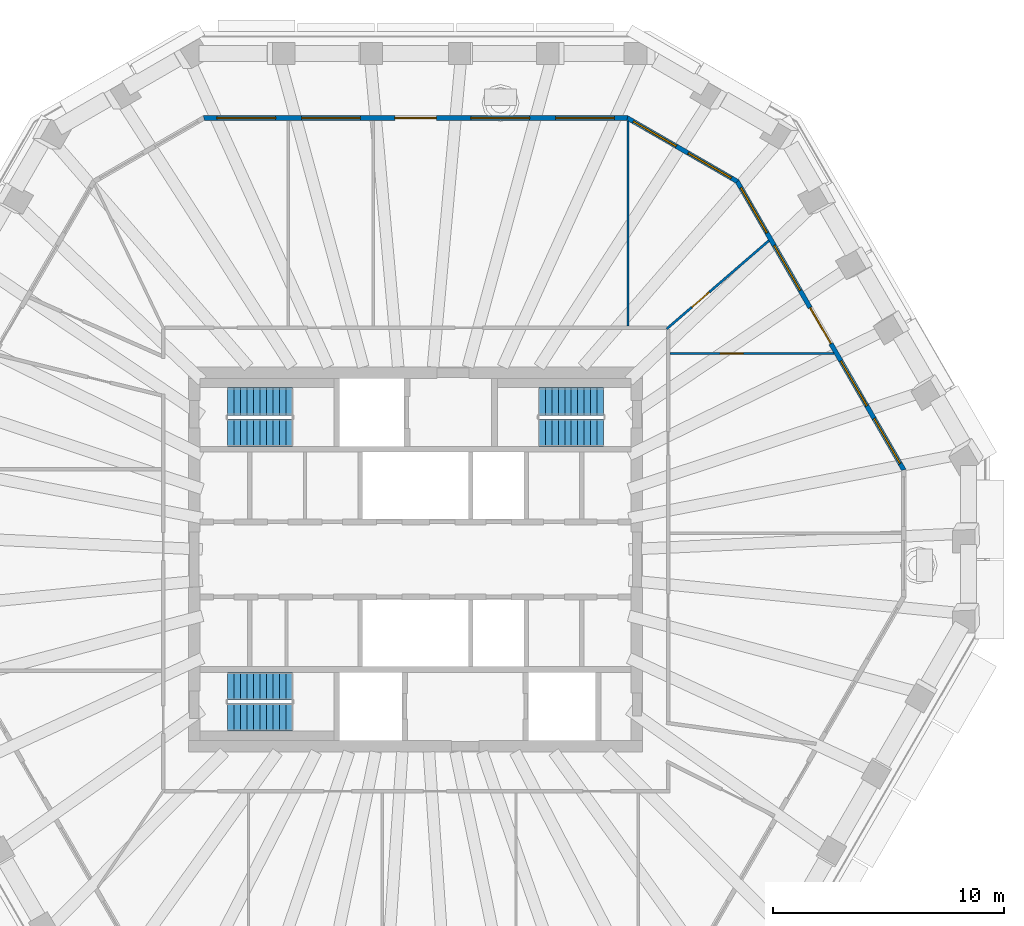
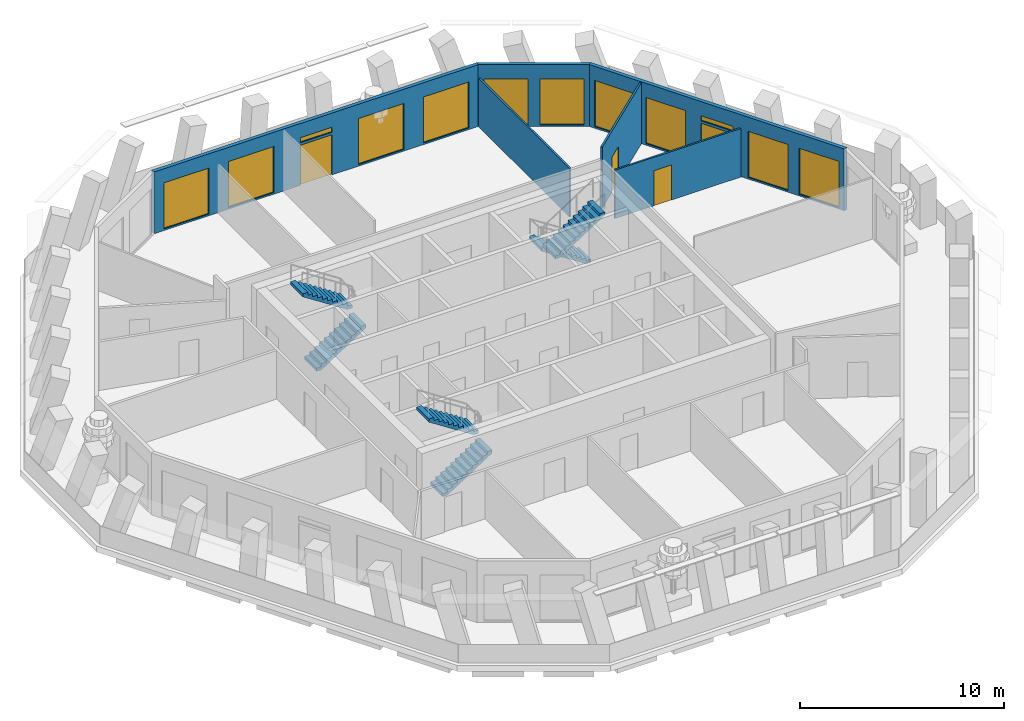
# One storey, part 7 of 11: 12 windows, 6 stair flights, 6 walls, 4 doors, 16 openings, 3 elements without a shape of their own.
"""IFC4 building model written with IfcOpenShell, lengths in metres."""

from ifc_helpers import new_model, si_unit, direction, frame, frame_2d, origin, place, context, subcontext, project, spatial, polyline, rectangle, outline, extrude, material, layer, layer_set, type_object, element, fill, aggregate, save


model = new_model("IFC4")

# Units and contexts
model_context = context("Model", 3, precision=1e-05, world=origin(), true_north=direction((0.0, 1.0)))
body_context = subcontext(model_context, "Body", "Model", "MODEL_VIEW")
ifc_project = project(units=[si_unit("LENGTHUNIT", "METRE"), si_unit("AREAUNIT", "SQUARE_METRE"), si_unit("VOLUMEUNIT", "CUBIC_METRE"), si_unit("PLANEANGLEUNIT", "RADIAN"), si_unit("MASSUNIT", "GRAM", prefix="KILO")], contexts=[model_context])

# Site, building, storey
site_placement = place(None, origin())
site = spatial("IfcSite", under=ifc_project, at=site_placement, CompositionType="ELEMENT")
building_placement = place(site_placement, origin())
building = spatial("IfcBuilding", under=site, at=building_placement, Name="Frailejon Research Tower", CompositionType="ELEMENT")
storey_placement = place(building_placement, frame((0.0, 0.0, 299.0)))
storey = spatial("IfcBuildingStorey", under=building, at=storey_placement, Name="L66", CompositionType="ELEMENT", Elevation=299.0)

# Wall, opening, door
ifc_material_1 = material(Name="Gypsum board and masonry partition", Category="masonry")
ifc_layer_1 = layer(ifc_material_1, 0.10009765625)
ifc_layer_set_1 = layer_set([ifc_layer_1], Name="Partition, gypsum on steel studs 100")
wall_type_1 = type_object("IfcWallType", Name="Partition, gypsum on steel studs 100", PredefinedType="PARTITIONING", material=ifc_layer_set_1)
wall_1_placement = place(storey_placement, frame((11.02490234375, 8.9345703125, 0.0), z_axis=(0.0, 0.0, 1.0), x_axis=(1.0, 0.0, 0.0)))
wall_1 = element("IfcWall", 1, at=wall_1_placement, inside=storey, type_object=wall_type_1, Name="T:IW:L66:013", PredefinedType="PARTITIONING", context=body_context, shape_type="SweptSolid", body=[
    extrude(rectangle(XDim=7.1201171875, YDim=0.10009765625, at=frame_2d((3.56005859375, 0.0))), origin(), (0.0, 0.0, 1.0), 2.89990234375),
])
opening_1_placement = place(wall_1_placement, frame((2.1982421875, 0.0, 0.0)))
opening_1 = element("IfcOpeningElement", 2, at=opening_1_placement, cuts=wall_1, Name="Opening D2266", PredefinedType="OPENING", context=body_context, shape_type="SweptSolid", body=[
    extrude(rectangle(XDim=1.0, YDim=2.10009765625, at=frame_2d((0.5, 1.050048828125))), frame((0.0, 0.06005859375, 0.0), z_axis=(0.0, -1.0, 0.0), x_axis=(1.0, 0.0, 0.0)), (0.0, 0.0, 1.0), 0.1201171875),
])
ifc_material_2 = material(Name="Timber door leaf", Category="wood")
door_type_1 = type_object("IfcDoorType", Name="Door single leaf, timber, steel frame 1000", OperationType="NOTDEFINED", PredefinedType="DOOR", material=ifc_material_2)
door_1_placement = place(opening_1_placement, origin())
door_1 = element("IfcDoor", 3, at=door_1_placement, inside=storey, type_object=door_type_1, Name="D2266", OperationType="SINGLE_SWING_LEFT", OverallHeight=2.10009765625, OverallWidth=1.0, PredefinedType="DOOR", context=body_context, shape_type="SweptSolid", body=[
    extrude(rectangle(XDim=1.0, YDim=2.10009765625, at=frame_2d((0.5, 1.050048828125))), frame((0.0, 0.02490234375, 0.0), z_axis=(0.0, -1.0, 0.0), x_axis=(1.0, 0.0, 0.0)), (0.0, 0.0, 1.0), 0.050048828125),
])
fill(opening_1, door_1)

wall_2_placement = place(storey_placement, frame((10.893310546875, 10.0009765625, 0.0), z_axis=(0.0, 0.0, 1.0), x_axis=(0.756700088013, 0.653762171436, 0.0)))
wall_2 = element("IfcWall", 4, at=wall_2_placement, inside=storey, type_object=wall_type_1, Name="T:IW:L66:015", PredefinedType="PARTITIONING", context=body_context, shape_type="SweptSolid", body=[
    extrude(rectangle(XDim=5.85107421875, YDim=0.10009765625, at=frame_2d((2.925537109375, 0.0))), origin(), (0.0, 0.0, 1.0), 3.64990234375),
])
opening_2_placement = place(wall_2_placement, frame((1.444091796875, 0.0, 0.0)))
opening_2 = element("IfcOpeningElement", 5, at=opening_2_placement, cuts=wall_2, Name="Opening D2267", PredefinedType="OPENING", context=body_context, shape_type="SweptSolid", body=[
    extrude(rectangle(XDim=1.0, YDim=2.10009765625, at=frame_2d((0.5, 1.050048828125))), frame((0.0, 0.06005859375, 0.0), z_axis=(0.0, -1.0, 0.0), x_axis=(1.0, 0.0, 0.0)), (0.0, 0.0, 1.0), 0.1201171875),
])
door_2_placement = place(opening_2_placement, origin())
door_2 = element("IfcDoor", 6, at=door_2_placement, inside=storey, type_object=door_type_1, Name="D2267", OperationType="SINGLE_SWING_RIGHT", OverallHeight=2.10009765625, OverallWidth=1.0, PredefinedType="DOOR", context=body_context, shape_type="SweptSolid", body=[
    extrude(rectangle(XDim=1.0, YDim=2.10009765625, at=frame_2d((0.5, 1.050048828125))), frame((0.0, 0.02490234375, 0.0), z_axis=(0.0, -1.0, 0.0), x_axis=(1.0, 0.0, 0.0)), (0.0, 0.0, 1.0), 0.050048828125),
])
fill(opening_2, door_2)

# Wall
wall_3_placement = place(storey_placement, frame((9.2119140625, 10.125, 0.0), z_axis=(0.0, 0.0, 1.0), x_axis=(0.0, 1.0, 0.0)))
element("IfcWall", 7, at=wall_3_placement, inside=storey, type_object=wall_type_1, Name="T:IW:L66:016", PredefinedType="PARTITIONING", context=body_context, shape_type="SweptSolid", body=[
    extrude(rectangle(XDim=8.89404296875, YDim=0.10009765625, at=frame_2d((4.447021484375, 0.0))), origin(), (0.0, 0.0, 1.0), 2.89990234375),
])

# Wall, openings, door, windows
ifc_material_3 = material(Name="Concrete C40/50 precast window wall panel", Category="concrete")
ifc_layer_2 = layer(ifc_material_3, 0.199951171875)
ifc_layer_set_2 = layer_set([ifc_layer_2], Name="Window wall 200")
wall_type_2 = type_object("IfcWallType", Name="Window wall 200", PredefinedType="SOLIDWALL", material=ifc_layer_set_2)
wall_4_placement = place(storey_placement, frame((21.177001953125, 3.883056640625, 0.0), z_axis=(0.0, 0.0, 1.0), x_axis=(-0.499998359168, 0.866026351117, 0.0)))
wall_4 = element("IfcWall", 8, at=wall_4_placement, inside=storey, type_object=wall_type_2, Name="Exterior wall L66", PredefinedType="SOLIDWALL", context=body_context, shape_type="SweptSolid", body=[
    extrude(outline(polyline([(-0.02685546875, -0.10009765625), (1.00927734375, -0.10009765625), (2.045166015625, -0.10009765625), (3.081298828125, -0.10009765625), (4.117431640625, -0.10009765625), (5.153564453125, -0.10009765625), (6.189453125, -0.10009765625), (7.2255859375, -0.10009765625), (8.26171875, -0.10009765625), (9.297607421875, -0.10009765625), (10.333740234375, -0.10009765625), (11.369873046875, -0.10009765625), (12.406005859375, -0.10009765625), (13.44189453125, -0.10009765625), (14.47802734375, -0.10009765625), (14.42431640625, 0.10009765625), (13.39599609375, 0.10009765625), (12.367431640625, 0.10009765625), (11.339111328125, 0.10009765625), (10.310791015625, 0.10009765625), (9.282470703125, 0.10009765625), (8.25390625, 0.10009765625), (7.2255859375, 0.10009765625), (6.197265625, 0.10009765625), (5.168701171875, 0.10009765625), (4.140380859375, 0.10009765625), (3.112060546875, 0.10009765625), (2.083740234375, 0.10009765625), (1.05517578125, 0.10009765625), (0.02685546875, 0.10009765625), (-0.02685546875, -0.10009765625)])), origin(), (0.0, 0.0, 1.0), 3.699951171875),
])
opening_3_placement = place(wall_4_placement, frame((0.320068359375, 0.0, 0.10009765625)))
opening_3 = element("IfcOpeningElement", 9, at=opening_3_placement, cuts=wall_4, Name="Opening W23", PredefinedType="OPENING", context=body_context, shape_type="SweptSolid", body=[
    extrude(rectangle(XDim=2.25, YDim=2.75, at=frame_2d((1.125, 1.375))), frame((0.0, 0.10986328125, 0.0), z_axis=(0.0, -1.0, 0.0), x_axis=(1.0, 0.0, 0.0)), (0.0, 0.0, 1.0), 0.219970703125),
])
opening_4_placement = place(wall_4_placement, frame((3.21044921875, 0.0, 0.10009765625)))
opening_4 = element("IfcOpeningElement", 10, at=opening_4_placement, cuts=wall_4, Name="Opening W23", PredefinedType="OPENING", context=body_context, shape_type="SweptSolid", body=[
    extrude(rectangle(XDim=2.25, YDim=2.75, at=frame_2d((1.125, 1.375))), frame((0.0, 0.10986328125, 0.0), z_axis=(0.0, -1.0, 0.0), x_axis=(1.0, 0.0, 0.0)), (0.0, 0.0, 1.0), 0.219970703125),
])
opening_5_placement = place(wall_4_placement, frame((6.32568359375, 0.0, 0.0)))
opening_5 = element("IfcOpeningElement", 11, at=opening_5_placement, cuts=wall_4, Name="Opening LG66-1", PredefinedType="OPENING", context=body_context, shape_type="SweptSolid", body=[
    extrude(rectangle(XDim=1.800048828125, YDim=2.39990234375, at=frame_2d((0.89990234375, 1.199951171875))), frame((0.0, 0.10986328125, 0.0), z_axis=(0.0, -1.0, 0.0), x_axis=(1.0, 0.0, 0.0)), (0.0, 0.0, 1.0), 0.219970703125),
])
opening_6_placement = place(wall_4_placement, frame((6.32568359375, 0.0, 2.550048828125)))
opening_6 = element("IfcOpeningElement", 12, at=opening_6_placement, cuts=wall_4, Name="Opening W24", PredefinedType="OPENING", context=body_context, shape_type="SweptSolid", body=[
    extrude(rectangle(XDim=1.800048828125, YDim=0.300048828125, at=frame_2d((0.89990234375, 0.14990234375))), frame((0.0, 0.10986328125, 0.0), z_axis=(0.0, -1.0, 0.0), x_axis=(1.0, 0.0, 0.0)), (0.0, 0.0, 1.0), 0.219970703125),
])
opening_7_placement = place(wall_4_placement, frame((8.990966796875, 0.0, 0.10009765625)))
opening_7 = element("IfcOpeningElement", 13, at=opening_7_placement, cuts=wall_4, Name="Opening W23", PredefinedType="OPENING", context=body_context, shape_type="SweptSolid", body=[
    extrude(rectangle(XDim=2.25, YDim=2.75, at=frame_2d((1.125, 1.375))), frame((0.0, 0.10986328125, 0.0), z_axis=(0.0, -1.0, 0.0), x_axis=(1.0, 0.0, 0.0)), (0.0, 0.0, 1.0), 0.219970703125),
])
opening_8_placement = place(wall_4_placement, frame((11.881103515625, 0.0, 0.10009765625)))
opening_8 = element("IfcOpeningElement", 14, at=opening_8_placement, cuts=wall_4, Name="Opening W23", PredefinedType="OPENING", context=body_context, shape_type="SweptSolid", body=[
    extrude(rectangle(XDim=2.25, YDim=2.75, at=frame_2d((1.125, 1.375))), frame((0.0, 0.10986328125, 0.0), z_axis=(0.0, -1.0, 0.0), x_axis=(1.0, 0.0, 0.0)), (0.0, 0.0, 1.0), 0.219970703125),
])
ifc_material_4 = material(Name="Aluminium framed glazed door leaf", Category="aluminium")
door_type_2 = type_object("IfcDoorType", Name="Loggia door 1800x2400", OperationType="DOUBLE_DOOR_SINGLE_SWING", PredefinedType="DOOR", material=ifc_material_4)
door_3_placement = place(opening_5_placement, origin())
door_3 = element("IfcDoor", 15, at=door_3_placement, inside=storey, type_object=door_type_2, Name="Door LG66-1", OperationType="DOUBLE_DOOR_SINGLE_SWING", OverallHeight=2.39990234375, OverallWidth=1.800048828125, PredefinedType="DOOR", context=body_context, shape_type="SweptSolid", body=[
    extrude(rectangle(XDim=1.800048828125, YDim=2.39990234375, at=frame_2d((0.89990234375, 1.199951171875))), frame((0.0, 0.02490234375, 0.0), z_axis=(0.0, -1.0, 0.0), x_axis=(1.0, 0.0, 0.0)), (0.0, 0.0, 1.0), 0.050048828125),
])
fill(opening_5, door_3)
ifc_material_5 = material(Name="Aluminium framed double glazing", Category="aluminium")
window_type_1 = type_object("IfcWindowType", Name="Window 1800x300", PartitioningType="SINGLE_PANEL", PredefinedType="WINDOW", material=ifc_material_5)
window_1_placement = place(opening_6_placement, origin())
window_1 = element("IfcWindow", 16, at=window_1_placement, inside=storey, type_object=window_type_1, Name="Window L66", OverallHeight=0.300048828125, OverallWidth=1.800048828125, PartitioningType="SINGLE_PANEL", PredefinedType="WINDOW", context=body_context, shape_type="SweptSolid", body=[
    extrude(rectangle(XDim=1.800048828125, YDim=0.300048828125, at=frame_2d((0.89990234375, 0.14990234375))), frame((0.0, 0.030029296875, 0.0), z_axis=(0.0, -1.0, 0.0), x_axis=(1.0, 0.0, 0.0)), (0.0, 0.0, 1.0), 0.06005859375),
])
fill(opening_6, window_1)
ifc_material_6 = material(Name="Aluminium framed double glazing", Category="aluminium")
window_type_2 = type_object("IfcWindowType", Name="Window 2250x2750", PartitioningType="SINGLE_PANEL", PredefinedType="WINDOW", material=ifc_material_6)
window_2_placement = place(opening_3_placement, origin())
window_2 = element("IfcWindow", 17, at=window_2_placement, inside=storey, type_object=window_type_2, Name="Window L66", OverallHeight=2.75, OverallWidth=2.25, PartitioningType="SINGLE_PANEL", PredefinedType="WINDOW", context=body_context, shape_type="SweptSolid", body=[
    extrude(rectangle(XDim=2.25, YDim=2.75, at=frame_2d((1.125, 1.375))), frame((0.0, 0.030029296875, 0.0), z_axis=(0.0, -1.0, 0.0), x_axis=(1.0, 0.0, 0.0)), (0.0, 0.0, 1.0), 0.06005859375),
])
fill(opening_3, window_2)
window_3_placement = place(opening_4_placement, origin())
window_3 = element("IfcWindow", 18, at=window_3_placement, inside=storey, type_object=window_type_2, Name="Window L66", OverallHeight=2.75, OverallWidth=2.25, PartitioningType="SINGLE_PANEL", PredefinedType="WINDOW", context=body_context, shape_type="SweptSolid", body=[
    extrude(rectangle(XDim=2.25, YDim=2.75, at=frame_2d((1.125, 1.375))), frame((0.0, 0.030029296875, 0.0), z_axis=(0.0, -1.0, 0.0), x_axis=(1.0, 0.0, 0.0)), (0.0, 0.0, 1.0), 0.06005859375),
])
fill(opening_4, window_3)
window_4_placement = place(opening_7_placement, origin())
window_4 = element("IfcWindow", 19, at=window_4_placement, inside=storey, type_object=window_type_2, Name="Window L66", OverallHeight=2.75, OverallWidth=2.25, PartitioningType="SINGLE_PANEL", PredefinedType="WINDOW", context=body_context, shape_type="SweptSolid", body=[
    extrude(rectangle(XDim=2.25, YDim=2.75, at=frame_2d((1.125, 1.375))), frame((0.0, 0.030029296875, 0.0), z_axis=(0.0, -1.0, 0.0), x_axis=(1.0, 0.0, 0.0)), (0.0, 0.0, 1.0), 0.06005859375),
])
fill(opening_7, window_4)
window_5_placement = place(opening_8_placement, origin())
window_5 = element("IfcWindow", 20, at=window_5_placement, inside=storey, type_object=window_type_2, Name="Window L66", OverallHeight=2.75, OverallWidth=2.25, PartitioningType="SINGLE_PANEL", PredefinedType="WINDOW", context=body_context, shape_type="SweptSolid", body=[
    extrude(rectangle(XDim=2.25, YDim=2.75, at=frame_2d((1.125, 1.375))), frame((0.0, 0.030029296875, 0.0), z_axis=(0.0, -1.0, 0.0), x_axis=(1.0, 0.0, 0.0)), (0.0, 0.0, 1.0), 0.06005859375),
])
fill(opening_8, window_5)

# Wall, openings, windows
wall_5_placement = place(storey_placement, frame((13.951416015625, 16.398193359375, 0.0), z_axis=(0.0, 0.0, 1.0), x_axis=(-0.866026017613, 0.499998936816, 0.0)))
wall_5 = element("IfcWall", 21, at=wall_5_placement, inside=storey, type_object=wall_type_2, Name="Exterior wall L66", PredefinedType="SOLIDWALL", context=body_context, shape_type="SweptSolid", body=[
    extrude(outline(polyline([(-0.02685546875, -0.10009765625), (1.08447265625, -0.10009765625), (2.196044921875, -0.10009765625), (3.307373046875, -0.10009765625), (4.4189453125, -0.10009765625), (5.5302734375, -0.10009765625), (5.4765625, 0.10009765625), (4.38671875, 0.10009765625), (3.296630859375, 0.10009765625), (2.206787109375, 0.10009765625), (1.11669921875, 0.10009765625), (0.02685546875, 0.10009765625), (-0.02685546875, -0.10009765625)])), origin(), (0.0, 0.0, 1.0), 3.699951171875),
])
opening_9_placement = place(wall_5_placement, frame((0.30078125, 0.0, 0.10009765625)))
opening_9 = element("IfcOpeningElement", 22, at=opening_9_placement, cuts=wall_5, Name="Opening W22", PredefinedType="OPENING", context=body_context, shape_type="SweptSolid", body=[
    extrude(rectangle(XDim=2.14990234375, YDim=2.75, at=frame_2d((1.074951171875, 1.375))), frame((0.0, 0.10986328125, 0.0), z_axis=(0.0, -1.0, 0.0), x_axis=(1.0, 0.0, 0.0)), (0.0, 0.0, 1.0), 0.219970703125),
])
opening_10_placement = place(wall_5_placement, frame((3.052490234375, 0.0, 0.10009765625)))
opening_10 = element("IfcOpeningElement", 23, at=opening_10_placement, cuts=wall_5, Name="Opening W22", PredefinedType="OPENING", context=body_context, shape_type="SweptSolid", body=[
    extrude(rectangle(XDim=2.14990234375, YDim=2.75, at=frame_2d((1.074951171875, 1.375))), frame((0.0, 0.10986328125, 0.0), z_axis=(0.0, -1.0, 0.0), x_axis=(1.0, 0.0, 0.0)), (0.0, 0.0, 1.0), 0.219970703125),
])
ifc_material_7 = material(Name="Aluminium framed double glazing", Category="aluminium")
window_type_3 = type_object("IfcWindowType", Name="Window 2150x2750", PartitioningType="SINGLE_PANEL", PredefinedType="WINDOW", material=ifc_material_7)
window_6_placement = place(opening_9_placement, origin())
window_6 = element("IfcWindow", 24, at=window_6_placement, inside=storey, type_object=window_type_3, Name="Window L66", OverallHeight=2.75, OverallWidth=2.14990234375, PartitioningType="SINGLE_PANEL", PredefinedType="WINDOW", context=body_context, shape_type="SweptSolid", body=[
    extrude(rectangle(XDim=2.14990234375, YDim=2.75, at=frame_2d((1.074951171875, 1.375))), frame((0.0, 0.030029296875, 0.0), z_axis=(0.0, -1.0, 0.0), x_axis=(1.0, 0.0, 0.0)), (0.0, 0.0, 1.0), 0.06005859375),
])
fill(opening_9, window_6)
window_7_placement = place(opening_10_placement, origin())
window_7 = element("IfcWindow", 25, at=window_7_placement, inside=storey, type_object=window_type_3, Name="Window L66", OverallHeight=2.75, OverallWidth=2.14990234375, PartitioningType="SINGLE_PANEL", PredefinedType="WINDOW", context=body_context, shape_type="SweptSolid", body=[
    extrude(rectangle(XDim=2.14990234375, YDim=2.75, at=frame_2d((1.074951171875, 1.375))), frame((0.0, 0.030029296875, 0.0), z_axis=(0.0, -1.0, 0.0), x_axis=(1.0, 0.0, 0.0)), (0.0, 0.0, 1.0), 0.06005859375),
])
fill(opening_10, window_7)

# Wall, openings, door, windows
wall_6_placement = place(storey_placement, frame((9.185302734375, 19.14990234375, 0.0), z_axis=(0.0, 0.0, 1.0), x_axis=(-1.0, 0.0, 0.0)))
wall_6 = element("IfcWall", 26, at=wall_6_placement, inside=storey, type_object=wall_type_2, Name="Exterior wall L66", PredefinedType="SOLIDWALL", context=body_context, shape_type="SweptSolid", body=[
    extrude(outline(polyline([(-0.02685546875, -0.10009765625), (0.996826171875, -0.10009765625), (2.020263671875, -0.10009765625), (3.0439453125, -0.10009765625), (4.0673828125, -0.10009765625), (5.091064453125, -0.10009765625), (6.114501953125, -0.10009765625), (7.13818359375, -0.10009765625), (8.16162109375, -0.10009765625), (9.185302734375, -0.10009765625), (10.208984375, -0.10009765625), (11.232421875, -0.10009765625), (12.256103515625, -0.10009765625), (13.279541015625, -0.10009765625), (14.30322265625, -0.10009765625), (15.32666015625, -0.10009765625), (16.350341796875, -0.10009765625), (17.373779296875, -0.10009765625), (18.3974609375, -0.10009765625), (18.34375, 0.10009765625), (17.326171875, 0.10009765625), (16.30859375, 0.10009765625), (15.291015625, 0.10009765625), (14.2734375, 0.10009765625), (13.255615234375, 0.10009765625), (12.238037109375, 0.10009765625), (11.220458984375, 0.10009765625), (10.202880859375, 0.10009765625), (9.185302734375, 0.10009765625), (8.167724609375, 0.10009765625), (7.150146484375, 0.10009765625), (6.132568359375, 0.10009765625), (5.114990234375, 0.10009765625), (4.09716796875, 0.10009765625), (3.07958984375, 0.10009765625), (2.06201171875, 0.10009765625), (1.04443359375, 0.10009765625), (0.02685546875, 0.10009765625), (-0.02685546875, -0.10009765625)])), origin(), (0.0, 0.0, 1.0), 3.699951171875),
])
opening_11_placement = place(wall_6_placement, frame((0.56201171875, 0.0, 0.10009765625)))
opening_11 = element("IfcOpeningElement", 27, at=opening_11_placement, cuts=wall_6, Name="Opening W25", PredefinedType="OPENING", context=body_context, shape_type="SweptSolid", body=[
    extrude(rectangle(XDim=2.550048828125, YDim=2.75, at=frame_2d((1.27490234375, 1.375))), frame((0.0, 0.10986328125, 0.0), z_axis=(0.0, -1.0, 0.0), x_axis=(1.0, 0.0, 0.0)), (0.0, 0.0, 1.0), 0.219970703125),
])
opening_12_placement = place(wall_6_placement, frame((4.236083984375, 0.0, 0.10009765625)))
opening_12 = element("IfcOpeningElement", 28, at=opening_12_placement, cuts=wall_6, Name="Opening W25", PredefinedType="OPENING", context=body_context, shape_type="SweptSolid", body=[
    extrude(rectangle(XDim=2.550048828125, YDim=2.75, at=frame_2d((1.27490234375, 1.375))), frame((0.0, 0.10986328125, 0.0), z_axis=(0.0, -1.0, 0.0), x_axis=(1.0, 0.0, 0.0)), (0.0, 0.0, 1.0), 0.219970703125),
])
opening_13_placement = place(wall_6_placement, frame((8.28515625, 0.0, 0.0)))
opening_13 = element("IfcOpeningElement", 29, at=opening_13_placement, cuts=wall_6, Name="Opening LG66-2", PredefinedType="OPENING", context=body_context, shape_type="SweptSolid", body=[
    extrude(rectangle(XDim=1.800048828125, YDim=2.39990234375, at=frame_2d((0.89990234375, 1.199951171875))), frame((0.0, 0.10986328125, 0.0), z_axis=(0.0, -1.0, 0.0), x_axis=(1.0, 0.0, 0.0)), (0.0, 0.0, 1.0), 0.219970703125),
])
opening_14_placement = place(wall_6_placement, frame((8.28515625, 0.0, 2.550048828125)))
opening_14 = element("IfcOpeningElement", 30, at=opening_14_placement, cuts=wall_6, Name="Opening W24", PredefinedType="OPENING", context=body_context, shape_type="SweptSolid", body=[
    extrude(rectangle(XDim=1.800048828125, YDim=0.300048828125, at=frame_2d((0.89990234375, 0.14990234375))), frame((0.0, 0.10986328125, 0.0), z_axis=(0.0, -1.0, 0.0), x_axis=(1.0, 0.0, 0.0)), (0.0, 0.0, 1.0), 0.219970703125),
])
opening_15_placement = place(wall_6_placement, frame((11.584228515625, 0.0, 0.10009765625)))
opening_15 = element("IfcOpeningElement", 31, at=opening_15_placement, cuts=wall_6, Name="Opening W25", PredefinedType="OPENING", context=body_context, shape_type="SweptSolid", body=[
    extrude(rectangle(XDim=2.550048828125, YDim=2.75, at=frame_2d((1.27490234375, 1.375))), frame((0.0, 0.10986328125, 0.0), z_axis=(0.0, -1.0, 0.0), x_axis=(1.0, 0.0, 0.0)), (0.0, 0.0, 1.0), 0.219970703125),
])
opening_16_placement = place(wall_6_placement, frame((15.25830078125, 0.0, 0.10009765625)))
opening_16 = element("IfcOpeningElement", 32, at=opening_16_placement, cuts=wall_6, Name="Opening W25", PredefinedType="OPENING", context=body_context, shape_type="SweptSolid", body=[
    extrude(rectangle(XDim=2.550048828125, YDim=2.75, at=frame_2d((1.27490234375, 1.375))), frame((0.0, 0.10986328125, 0.0), z_axis=(0.0, -1.0, 0.0), x_axis=(1.0, 0.0, 0.0)), (0.0, 0.0, 1.0), 0.219970703125),
])
door_4_placement = place(opening_13_placement, origin())
door_4 = element("IfcDoor", 33, at=door_4_placement, inside=storey, type_object=door_type_2, Name="Door LG66-2", OperationType="DOUBLE_DOOR_SINGLE_SWING", OverallHeight=2.39990234375, OverallWidth=1.800048828125, PredefinedType="DOOR", context=body_context, shape_type="SweptSolid", body=[
    extrude(rectangle(XDim=1.800048828125, YDim=2.39990234375, at=frame_2d((0.89990234375, 1.199951171875))), frame((0.0, 0.02490234375, 0.0), z_axis=(0.0, -1.0, 0.0), x_axis=(1.0, 0.0, 0.0)), (0.0, 0.0, 1.0), 0.050048828125),
])
fill(opening_13, door_4)
window_8_placement = place(opening_14_placement, origin())
window_8 = element("IfcWindow", 34, at=window_8_placement, inside=storey, type_object=window_type_1, Name="Window L66", OverallHeight=0.300048828125, OverallWidth=1.800048828125, PartitioningType="SINGLE_PANEL", PredefinedType="WINDOW", context=body_context, shape_type="SweptSolid", body=[
    extrude(rectangle(XDim=1.800048828125, YDim=0.300048828125, at=frame_2d((0.89990234375, 0.14990234375))), frame((0.0, 0.030029296875, 0.0), z_axis=(0.0, -1.0, 0.0), x_axis=(1.0, 0.0, 0.0)), (0.0, 0.0, 1.0), 0.06005859375),
])
fill(opening_14, window_8)
ifc_material_8 = material(Name="Aluminium framed double glazing", Category="aluminium")
window_type_4 = type_object("IfcWindowType", Name="Window 2550x2750", PartitioningType="SINGLE_PANEL", PredefinedType="WINDOW", material=ifc_material_8)
window_9_placement = place(opening_11_placement, origin())
window_9 = element("IfcWindow", 35, at=window_9_placement, inside=storey, type_object=window_type_4, Name="Window L66", OverallHeight=2.75, OverallWidth=2.550048828125, PartitioningType="SINGLE_PANEL", PredefinedType="WINDOW", context=body_context, shape_type="SweptSolid", body=[
    extrude(rectangle(XDim=2.550048828125, YDim=2.75, at=frame_2d((1.27490234375, 1.375))), frame((0.0, 0.030029296875, 0.0), z_axis=(0.0, -1.0, 0.0), x_axis=(1.0, 0.0, 0.0)), (0.0, 0.0, 1.0), 0.06005859375),
])
fill(opening_11, window_9)
window_10_placement = place(opening_12_placement, origin())
window_10 = element("IfcWindow", 36, at=window_10_placement, inside=storey, type_object=window_type_4, Name="Window L66", OverallHeight=2.75, OverallWidth=2.550048828125, PartitioningType="SINGLE_PANEL", PredefinedType="WINDOW", context=body_context, shape_type="SweptSolid", body=[
    extrude(rectangle(XDim=2.550048828125, YDim=2.75, at=frame_2d((1.27490234375, 1.375))), frame((0.0, 0.030029296875, 0.0), z_axis=(0.0, -1.0, 0.0), x_axis=(1.0, 0.0, 0.0)), (0.0, 0.0, 1.0), 0.06005859375),
])
fill(opening_12, window_10)
window_11_placement = place(opening_15_placement, origin())
window_11 = element("IfcWindow", 37, at=window_11_placement, inside=storey, type_object=window_type_4, Name="Window L66", OverallHeight=2.75, OverallWidth=2.550048828125, PartitioningType="SINGLE_PANEL", PredefinedType="WINDOW", context=body_context, shape_type="SweptSolid", body=[
    extrude(rectangle(XDim=2.550048828125, YDim=2.75, at=frame_2d((1.27490234375, 1.375))), frame((0.0, 0.030029296875, 0.0), z_axis=(0.0, -1.0, 0.0), x_axis=(1.0, 0.0, 0.0)), (0.0, 0.0, 1.0), 0.06005859375),
])
fill(opening_15, window_11)
window_12_placement = place(opening_16_placement, origin())
window_12 = element("IfcWindow", 38, at=window_12_placement, inside=storey, type_object=window_type_4, Name="Window L66", OverallHeight=2.75, OverallWidth=2.550048828125, PartitioningType="SINGLE_PANEL", PredefinedType="WINDOW", context=body_context, shape_type="SweptSolid", body=[
    extrude(rectangle(XDim=2.550048828125, YDim=2.75, at=frame_2d((1.27490234375, 1.375))), frame((0.0, 0.030029296875, 0.0), z_axis=(0.0, -1.0, 0.0), x_axis=(1.0, 0.0, 0.0)), (0.0, 0.0, 1.0), 0.06005859375),
])
fill(opening_16, window_12)

# Stair, stair flights
ifc_material_9 = material(Name="Concrete C50/60", Category="concrete")
stair_type = type_object("IfcStairType", Name="Exit stair 22 risers", PredefinedType="HALF_TURN_STAIR", material=ifc_material_9)
stair_1_placement = place(storey_placement, origin())
stair_1 = element("IfcStair", 39, at=stair_1_placement, inside=storey, type_object=stair_type, Name="L66 Exit stair ST1", PredefinedType="HALF_TURN_STAIR")
ifc_material_10 = material(Name="Concrete C50/60", Category="concrete")
ifc_layer_3 = layer(ifc_material_10, 0.14990234375)
ifc_layer_set_3 = layer_set([ifc_layer_3], Name="Stair flight 11 risers")
stair_flight_type = type_object("IfcStairFlightType", Name="Stair flight 11 risers", PredefinedType="STRAIGHT", material=ifc_layer_set_3)
stair_flight_1_placement = place(storey_placement, frame((-8.14990234375, 5.5, 0.0), z_axis=(0.0, 0.0, 1.0), x_axis=(1.0, 0.0, 0.0)))
stair_flight_1 = element("IfcStairFlight", 40, at=stair_flight_1_placement, type_object=stair_flight_type, Name="ST1 flight 1", NumberOfRisers=11, NumberOfTreads=10, PredefinedType="STRAIGHT", RiserHeight=0.181818182, TreadLength=0.28, context=body_context, shape_type="SweptSolid", body=[
    extrude(outline(polyline([(0.0, 0.0), (0.0, 0.181884765625), (0.280029296875, 0.181884765625), (0.280029296875, 0.363525390625), (0.56005859375, 0.363525390625), (0.56005859375, 0.54541015625), (0.840087890625, 0.54541015625), (0.840087890625, 0.727294921875), (1.1201171875, 0.727294921875), (1.1201171875, 0.9091796875), (1.39990234375, 0.9091796875), (1.39990234375, 1.0908203125), (1.679931640625, 1.0908203125), (1.679931640625, 1.272705078125), (1.9599609375, 1.272705078125), (1.9599609375, 1.45458984375), (2.239990234375, 1.45458984375), (2.239990234375, 1.636474609375), (2.52001953125, 1.636474609375), (2.52001953125, 1.818115234375), (2.800048828125, 1.818115234375), (2.800048828125, 2.0), (2.800048828125, 1.639404296875), (0.275146484375, 0.0), (0.0, 0.0)])), frame((0.0, 0.60009765625, 0.0), z_axis=(0.0, -1.0, 0.0), x_axis=(1.0, 0.0, 0.0)), (0.0, 0.0, 1.0), 1.199951171875),
])
stair_flight_2_placement = place(storey_placement, frame((-5.35009765625, 6.85009765625, 2.0), z_axis=(0.0, 0.0, 1.0), x_axis=(-1.0, 0.0, 0.0)))
stair_flight_2 = element("IfcStairFlight", 41, at=stair_flight_2_placement, type_object=stair_flight_type, Name="ST1 flight 2", NumberOfRisers=11, NumberOfTreads=10, PredefinedType="STRAIGHT", RiserHeight=0.181818182, TreadLength=0.28, context=body_context, shape_type="SweptSolid", body=[
    extrude(outline(polyline([(0.0, 0.0), (0.0, 0.181884765625), (0.280029296875, 0.181884765625), (0.280029296875, 0.363525390625), (0.56005859375, 0.363525390625), (0.56005859375, 0.54541015625), (0.840087890625, 0.54541015625), (0.840087890625, 0.727294921875), (1.1201171875, 0.727294921875), (1.1201171875, 0.9091796875), (1.39990234375, 0.9091796875), (1.39990234375, 1.0908203125), (1.679931640625, 1.0908203125), (1.679931640625, 1.272705078125), (1.9599609375, 1.272705078125), (1.9599609375, 1.45458984375), (2.239990234375, 1.45458984375), (2.239990234375, 1.636474609375), (2.52001953125, 1.636474609375), (2.52001953125, 1.818115234375), (2.800048828125, 1.818115234375), (2.800048828125, 2.0), (2.800048828125, 1.639404296875), (0.275146484375, 0.0), (0.0, 0.0)])), frame((0.0, 0.60009765625, 0.0), z_axis=(0.0, -1.0, 0.0), x_axis=(1.0, 0.0, 0.0)), (0.0, 0.0, 1.0), 1.199951171875),
])
aggregate(stair_1, [stair_flight_1, stair_flight_2])

stair_2_placement = place(storey_placement, origin())
stair_2 = element("IfcStair", 42, at=stair_2_placement, inside=storey, type_object=stair_type, Name="L66 Exit stair ST2", PredefinedType="HALF_TURN_STAIR")
stair_flight_3_placement = place(storey_placement, frame((-8.14990234375, -6.85009765625, 0.0), z_axis=(0.0, 0.0, 1.0), x_axis=(1.0, 0.0, 0.0)))
stair_flight_3 = element("IfcStairFlight", 43, at=stair_flight_3_placement, type_object=stair_flight_type, Name="ST2 flight 1", NumberOfRisers=11, NumberOfTreads=10, PredefinedType="STRAIGHT", RiserHeight=0.181818182, TreadLength=0.28, context=body_context, shape_type="SweptSolid", body=[
    extrude(outline(polyline([(0.0, 0.0), (0.0, 0.181884765625), (0.280029296875, 0.181884765625), (0.280029296875, 0.363525390625), (0.56005859375, 0.363525390625), (0.56005859375, 0.54541015625), (0.840087890625, 0.54541015625), (0.840087890625, 0.727294921875), (1.1201171875, 0.727294921875), (1.1201171875, 0.9091796875), (1.39990234375, 0.9091796875), (1.39990234375, 1.0908203125), (1.679931640625, 1.0908203125), (1.679931640625, 1.272705078125), (1.9599609375, 1.272705078125), (1.9599609375, 1.45458984375), (2.239990234375, 1.45458984375), (2.239990234375, 1.636474609375), (2.52001953125, 1.636474609375), (2.52001953125, 1.818115234375), (2.800048828125, 1.818115234375), (2.800048828125, 2.0), (2.800048828125, 1.639404296875), (0.275146484375, 0.0), (0.0, 0.0)])), frame((0.0, 0.60009765625, 0.0), z_axis=(0.0, -1.0, 0.0), x_axis=(1.0, 0.0, 0.0)), (0.0, 0.0, 1.0), 1.199951171875),
])
stair_flight_4_placement = place(storey_placement, frame((-5.35009765625, -5.5, 2.0), z_axis=(0.0, 0.0, 1.0), x_axis=(-1.0, 0.0, 0.0)))
stair_flight_4 = element("IfcStairFlight", 44, at=stair_flight_4_placement, type_object=stair_flight_type, Name="ST2 flight 2", NumberOfRisers=11, NumberOfTreads=10, PredefinedType="STRAIGHT", RiserHeight=0.181818182, TreadLength=0.28, context=body_context, shape_type="SweptSolid", body=[
    extrude(outline(polyline([(0.0, 0.0), (0.0, 0.181884765625), (0.280029296875, 0.181884765625), (0.280029296875, 0.363525390625), (0.56005859375, 0.363525390625), (0.56005859375, 0.54541015625), (0.840087890625, 0.54541015625), (0.840087890625, 0.727294921875), (1.1201171875, 0.727294921875), (1.1201171875, 0.9091796875), (1.39990234375, 0.9091796875), (1.39990234375, 1.0908203125), (1.679931640625, 1.0908203125), (1.679931640625, 1.272705078125), (1.9599609375, 1.272705078125), (1.9599609375, 1.45458984375), (2.239990234375, 1.45458984375), (2.239990234375, 1.636474609375), (2.52001953125, 1.636474609375), (2.52001953125, 1.818115234375), (2.800048828125, 1.818115234375), (2.800048828125, 2.0), (2.800048828125, 1.639404296875), (0.275146484375, 0.0), (0.0, 0.0)])), frame((0.0, 0.60009765625, 0.0), z_axis=(0.0, -1.0, 0.0), x_axis=(1.0, 0.0, 0.0)), (0.0, 0.0, 1.0), 1.199951171875),
])
aggregate(stair_2, [stair_flight_3, stair_flight_4])

stair_3_placement = place(storey_placement, origin())
stair_3 = element("IfcStair", 45, at=stair_3_placement, inside=storey, type_object=stair_type, Name="L66 Exit stair ST3", PredefinedType="HALF_TURN_STAIR")
stair_flight_5_placement = place(storey_placement, frame((8.14990234375, 6.85009765625, 0.0), z_axis=(0.0, 0.0, 1.0), x_axis=(-1.0, 0.0, 0.0)))
stair_flight_5 = element("IfcStairFlight", 46, at=stair_flight_5_placement, type_object=stair_flight_type, Name="ST3 flight 1", NumberOfRisers=11, NumberOfTreads=10, PredefinedType="STRAIGHT", RiserHeight=0.181818182, TreadLength=0.28, context=body_context, shape_type="SweptSolid", body=[
    extrude(outline(polyline([(0.0, 0.0), (0.0, 0.181884765625), (0.280029296875, 0.181884765625), (0.280029296875, 0.363525390625), (0.56005859375, 0.363525390625), (0.56005859375, 0.54541015625), (0.840087890625, 0.54541015625), (0.840087890625, 0.727294921875), (1.1201171875, 0.727294921875), (1.1201171875, 0.9091796875), (1.39990234375, 0.9091796875), (1.39990234375, 1.0908203125), (1.679931640625, 1.0908203125), (1.679931640625, 1.272705078125), (1.9599609375, 1.272705078125), (1.9599609375, 1.45458984375), (2.239990234375, 1.45458984375), (2.239990234375, 1.636474609375), (2.52001953125, 1.636474609375), (2.52001953125, 1.818115234375), (2.800048828125, 1.818115234375), (2.800048828125, 2.0), (2.800048828125, 1.639404296875), (0.275146484375, 0.0), (0.0, 0.0)])), frame((0.0, 0.60009765625, 0.0), z_axis=(0.0, -1.0, 0.0), x_axis=(1.0, 0.0, 0.0)), (0.0, 0.0, 1.0), 1.199951171875),
])
stair_flight_6_placement = place(storey_placement, frame((5.35009765625, 5.5, 2.0), z_axis=(0.0, 0.0, 1.0), x_axis=(1.0, 0.0, 0.0)))
stair_flight_6 = element("IfcStairFlight", 47, at=stair_flight_6_placement, type_object=stair_flight_type, Name="ST3 flight 2", NumberOfRisers=11, NumberOfTreads=10, PredefinedType="STRAIGHT", RiserHeight=0.181818182, TreadLength=0.28, context=body_context, shape_type="SweptSolid", body=[
    extrude(outline(polyline([(0.0, 0.0), (0.0, 0.181884765625), (0.280029296875, 0.181884765625), (0.280029296875, 0.363525390625), (0.56005859375, 0.363525390625), (0.56005859375, 0.54541015625), (0.840087890625, 0.54541015625), (0.840087890625, 0.727294921875), (1.1201171875, 0.727294921875), (1.1201171875, 0.9091796875), (1.39990234375, 0.9091796875), (1.39990234375, 1.0908203125), (1.679931640625, 1.0908203125), (1.679931640625, 1.272705078125), (1.9599609375, 1.272705078125), (1.9599609375, 1.45458984375), (2.239990234375, 1.45458984375), (2.239990234375, 1.636474609375), (2.52001953125, 1.636474609375), (2.52001953125, 1.818115234375), (2.800048828125, 1.818115234375), (2.800048828125, 2.0), (2.800048828125, 1.639404296875), (0.275146484375, 0.0), (0.0, 0.0)])), frame((0.0, 0.60009765625, 0.0), z_axis=(0.0, -1.0, 0.0), x_axis=(1.0, 0.0, 0.0)), (0.0, 0.0, 1.0), 1.199951171875),
])
aggregate(stair_3, [stair_flight_5, stair_flight_6])

save(model, "model.ifc")
